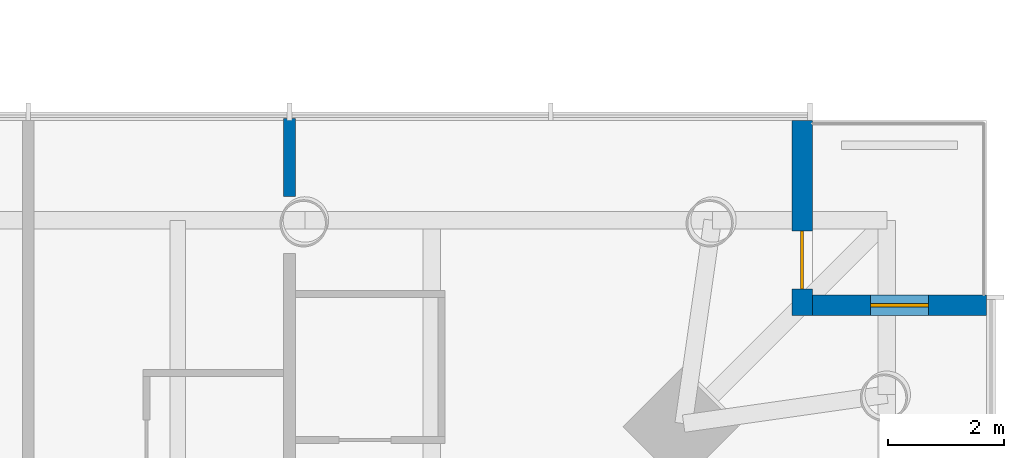
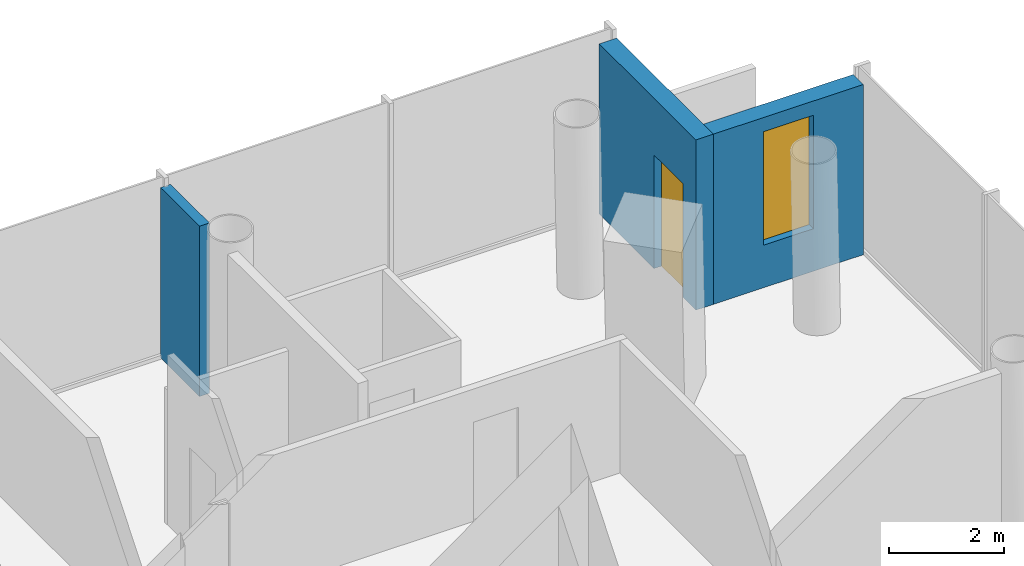
# One storey, part 16 of 26: 3 walls, 1 door, 1 window, 2 openings.
"""IFC4 building model written with IfcOpenShell, lengths in metres."""

from ifc_helpers import new_model, si_unit, direction, frame, frame_2d, origin, place, context, subcontext, project, spatial, rectangle, extrude, material, layer, layer_set, type_object, element, fill, save


model = new_model("IFC4")

# Units and contexts
model_context = context("Model", 3, precision=1e-05, world=origin(), true_north=direction((0.0, 1.0)))
body_context = subcontext(model_context, "Body", "Model", "MODEL_VIEW")
ifc_project = project(units=[si_unit("LENGTHUNIT", "METRE"), si_unit("AREAUNIT", "SQUARE_METRE"), si_unit("VOLUMEUNIT", "CUBIC_METRE"), si_unit("PLANEANGLEUNIT", "RADIAN"), si_unit("MASSUNIT", "GRAM", prefix="KILO")], contexts=[model_context])

# Site, building, storey
site_placement = place(None, origin())
site = spatial("IfcSite", under=ifc_project, at=site_placement, CompositionType="ELEMENT")
building_placement = place(site_placement, origin())
building = spatial("IfcBuilding", under=site, at=building_placement, Name="Ostroluk Exchange", CompositionType="ELEMENT")
storey_placement = place(building_placement, frame((0.0, 0.0, 66.60009765625)))
storey = spatial("IfcBuildingStorey", under=building, at=storey_placement, Name="L16", CompositionType="ELEMENT", Elevation=66.60009765625)

# Wall, opening, door
ifc_material_1 = material(Name="Limestone", Category="masonry")
ifc_layer_1 = layer(ifc_material_1, 0.35009765625)
ifc_layer_set_1 = layer_set([ifc_layer_1], Name="Limestone facade wall 350")
wall_type_1 = type_object("IfcWallType", Name="Limestone facade wall 350", PredefinedType="SOLIDWALL", material=ifc_layer_set_1)
wall_1_placement = place(storey_placement, frame((132.574951171875, 64.75, 0.0), z_axis=(0.0, 0.0, 1.0), x_axis=(0.0, -1.0, 0.0)))
wall_1 = element("IfcWall", 1, at=wall_1_placement, inside=storey, type_object=wall_type_1, Name="Hotel tower NE corner wall L16 a", PredefinedType="SOLIDWALL", context=body_context, shape_type="SweptSolid", body=[
    extrude(rectangle(XDim=3.35009765625, YDim=0.35009765625, at=frame_2d((1.675048828125, 0.0))), origin(), (0.0, 0.0, 1.0), 3.599853515625),
])
opening_1_placement = place(wall_1_placement, frame((1.89990234375, 0.0, 0.0)))
opening_1 = element("IfcOpeningElement", 2, at=opening_1_placement, cuts=wall_1, Name="Opening D-B1", PredefinedType="OPENING", context=body_context, shape_type="SweptSolid", body=[
    extrude(rectangle(XDim=1.0, YDim=2.39990234375, at=frame_2d((0.5, 1.199951171875))), frame((0.0, 0.18505859375, 0.0), z_axis=(0.0, -1.0, 0.0), x_axis=(1.0, 0.0, 0.0)), (0.0, 0.0, 1.0), 0.3701171875),
])
ifc_material_2 = material(Name="Bronze framed glazed door", Category="aluminium")
door_type = type_object("IfcDoorType", Name="Balcony door 1000 x 2400", OperationType="SINGLE_SWING_LEFT", PredefinedType="DOOR", material=ifc_material_2)
door_placement = place(opening_1_placement, origin())
door = element("IfcDoor", 3, at=door_placement, inside=storey, type_object=door_type, Name="Hotel tower NE balcony door L16", OperationType="SINGLE_SWING_RIGHT", OverallHeight=2.39990234375, OverallWidth=1.0, PredefinedType="DOOR", context=body_context, shape_type="SweptSolid", body=[
    extrude(rectangle(XDim=1.0, YDim=2.39990234375, at=frame_2d((0.5, 1.199951171875))), frame((0.0, 0.02490234375, 0.0), z_axis=(0.0, -1.0, 0.0), x_axis=(1.0, 0.0, 0.0)), (0.0, 0.0, 1.0), 0.050048828125),
])
fill(opening_1, door)

# Wall, opening, window
wall_2_placement = place(storey_placement, frame((132.75, 61.574951171875, 0.0), z_axis=(0.0, 0.0, 1.0), x_axis=(1.0, 0.0, 0.0)))
wall_2 = element("IfcWall", 4, at=wall_2_placement, inside=storey, type_object=wall_type_1, Name="Hotel tower NE corner wall L16 b", PredefinedType="SOLIDWALL", context=body_context, shape_type="SweptSolid", body=[
    extrude(rectangle(XDim=3.0, YDim=0.35009765625, at=frame_2d((1.5, 0.0))), origin(), (0.0, 0.0, 1.0), 3.599853515625),
])
opening_2_placement = place(wall_2_placement, frame((1.0, 0.0, 0.89990234375)))
opening_2 = element("IfcOpeningElement", 5, at=opening_2_placement, cuts=wall_2, Name="Opening WN-L3", PredefinedType="OPENING", context=body_context, shape_type="SweptSolid", body=[
    extrude(rectangle(XDim=1.0, YDim=2.39990234375, at=frame_2d((0.5, 1.199951171875))), frame((0.0, 0.18505859375, 0.0), z_axis=(0.0, -1.0, 0.0), x_axis=(1.0, 0.0, 0.0)), (0.0, 0.0, 1.0), 0.3701171875),
])
ifc_material_3 = material(Name="Laminated clear glass", Category="glass")
window_type = type_object("IfcWindowType", Name="Hotel lancet window 1000 x 2400", PartitioningType="SINGLE_PANEL", PredefinedType="WINDOW", material=ifc_material_3)
window_placement = place(opening_2_placement, origin())
window = element("IfcWindow", 6, at=window_placement, inside=storey, type_object=window_type, Name="Hotel tower NE lancet window L16", OverallHeight=2.39990234375, OverallWidth=1.0, PartitioningType="SINGLE_PANEL", PredefinedType="WINDOW", context=body_context, shape_type="SweptSolid", body=[
    extrude(rectangle(XDim=1.0, YDim=2.39990234375, at=frame_2d((0.5, 1.199951171875))), frame((0.0, 0.030029296875, 0.0), z_axis=(0.0, -1.0, 0.0), x_axis=(1.0, 0.0, 0.0)), (0.0, 0.0, 1.0), 0.06005859375),
])
fill(opening_2, window)

# Wall
ifc_material_4 = material(Name="Gypsum plasterboard partition", Category="gypsum")
ifc_layer_2 = layer(ifc_material_4, 0.199951171875)
ifc_layer_set_2 = layer_set([ifc_layer_2], Name="Plasterboard party wall 200")
wall_type_2 = type_object("IfcWallType", Name="Plasterboard party wall 200", PredefinedType="PARTITIONING", material=ifc_layer_set_2)
wall_3_placement = place(storey_placement, frame((123.75, 63.44091796875, 0.0), z_axis=(0.0, 0.0, 1.0), x_axis=(0.0, 1.0, 0.0)))
element("IfcWall", 7, at=wall_3_placement, inside=storey, type_object=wall_type_2, Name="Party wall", PredefinedType="PARTITIONING", context=body_context, shape_type="SweptSolid", body=[
    extrude(rectangle(XDim=1.34912109375, YDim=0.199951171875, at=frame_2d((0.674560546875, 0.0))), origin(), (0.0, 0.0, 1.0), 3.599853515625),
])

save(model, "model.ifc")
